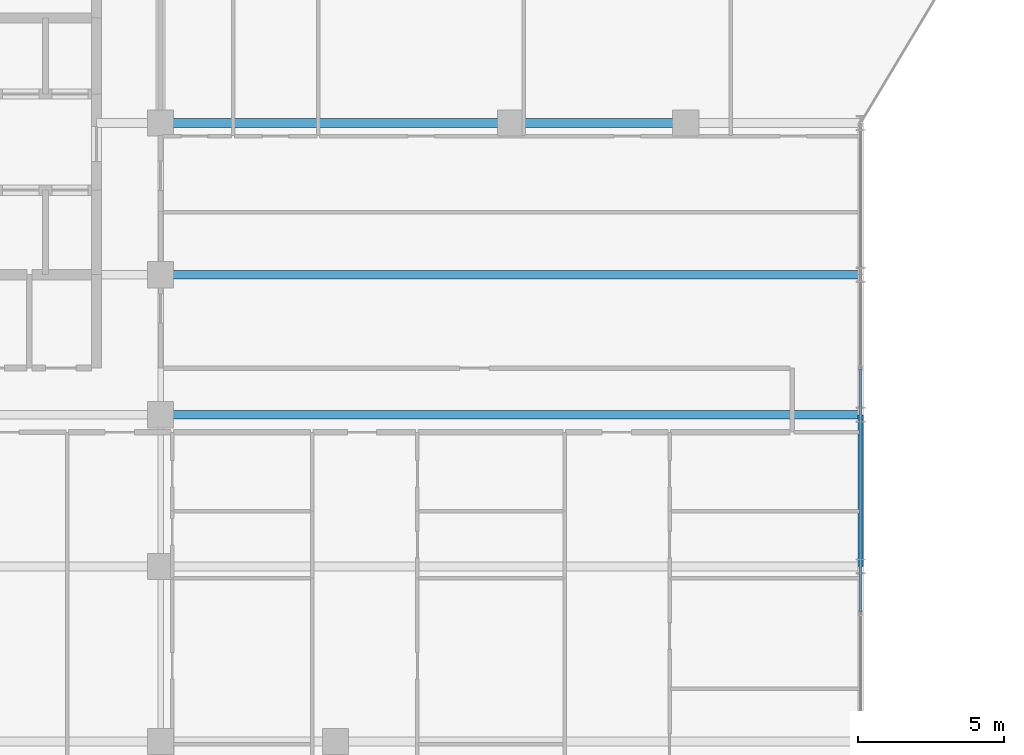
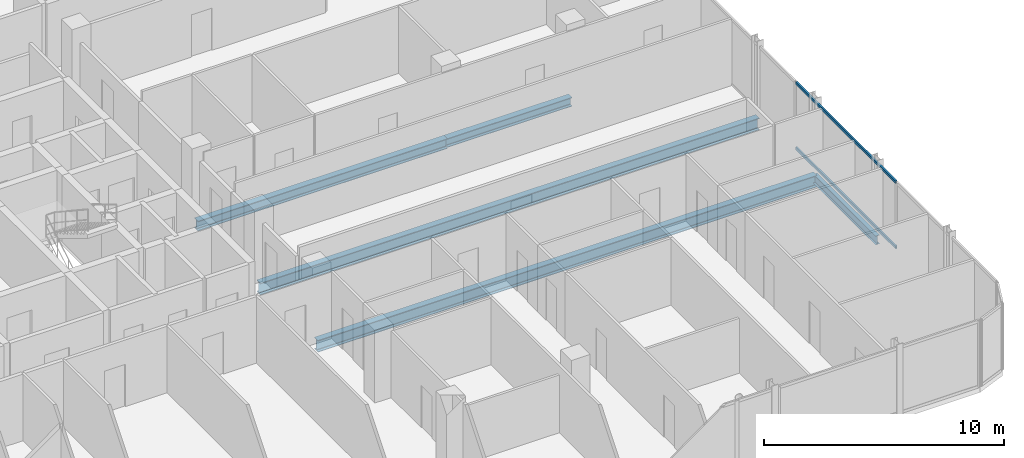
# One storey, part 12 of 31: 5 beams, 2 members, 1 element without a shape of its own.
"""IFC4 building model written with IfcOpenShell, lengths in metres."""

from ifc_helpers import new_model, si_unit, direction, frame, origin, origin_2d, place, context, subcontext, project, spatial, hollow_rectangle, i_section, extrude, material, layer, layer_set, material_profile, profile_set, type_object, element, aggregate, save


model = new_model("IFC4")

# Units and contexts
model_context = context("Model", 3, precision=1e-05, world=origin(), true_north=direction((0.0, 1.0)))
body_context = subcontext(model_context, "Body", "Model", "MODEL_VIEW")
ifc_project = project(units=[si_unit("LENGTHUNIT", "METRE"), si_unit("AREAUNIT", "SQUARE_METRE"), si_unit("VOLUMEUNIT", "CUBIC_METRE"), si_unit("PLANEANGLEUNIT", "RADIAN"), si_unit("MASSUNIT", "GRAM", prefix="KILO")], contexts=[model_context])

# Site, building, storey
site_placement = place(None, origin())
site = spatial("IfcSite", under=ifc_project, at=site_placement, CompositionType="ELEMENT")
building_placement = place(site_placement, origin())
building = spatial("IfcBuilding", under=site, at=building_placement, Name="Keshet Zoharim Tower", CompositionType="ELEMENT")
storey_placement = place(building_placement, frame((0.0, 0.0, 144.60009765625)))
storey = spatial("IfcBuildingStorey", under=building, at=storey_placement, Name="L35", CompositionType="ELEMENT", Elevation=144.60009765625)

# Beams
ifc_material_1 = material(Name="Steel S355", Category="steel")
ifc_material_profile_1 = material_profile(ifc_material_1, i_section(OverallWidth=0.300048828125, OverallDepth=0.60009765625, WebThickness=0.015380859375, FlangeThickness=0.030029296875, FilletRadius=0.027099609375, at=origin_2d()), Name="HEB600")
ifc_profile_set_1 = profile_set([ifc_material_profile_1], Name="Steel S355")
beam_type_1 = type_object("IfcBeamType", Name="BM-LNG-HB600", PredefinedType="BEAM", material=ifc_profile_set_1)
for number, where, z_axis, x_axis, name in (
    (1, (33.0, 17.89990234375, -0.614990234375), (1.0, 0.0, 0.0), (0.0, 1.0, 0.0), "L35 Primary Girder X-013"),
    (2, (33.0, 22.699951171875, -0.614990234375), (1.0, 0.0, 0.0), (0.0, 1.0, 0.0), "L35 Primary Girder X-014"),
):
    element("IfcBeam", number, at=place(storey_placement, frame(where, z_axis=z_axis, x_axis=x_axis)), inside=storey, type_object=beam_type_1, Name=name, PredefinedType="BEAM", context=body_context, shape_type="SweptSolid", body=[
        extrude(i_section(OverallWidth=0.300048828125, OverallDepth=0.60009765625, WebThickness=0.015380859375, FlangeThickness=0.030029296875, FilletRadius=0.027099609375, at=origin_2d()), origin(), (0.0, 0.0, 1.0), 24.0),
    ])
ifc_material_profile_2 = material_profile(ifc_material_1, i_section(OverallWidth=0.300048828125, OverallDepth=0.5, WebThickness=0.014404296875, FlangeThickness=0.028076171875, FilletRadius=0.027099609375, at=origin_2d()), Name="HEB500")
ifc_profile_set_2 = profile_set([ifc_material_profile_2], Name="Steel S355")
beam_type_2 = type_object("IfcBeamType", Name="BM-MED-HB500", PredefinedType="BEAM", material=ifc_profile_set_2)
beam_1_placement = place(storey_placement, frame((33.0, 27.89990234375, -0.565185546875), z_axis=(1.0, 0.0, 0.0), x_axis=(0.0, 1.0, 0.0)))
element("IfcBeam", 3, at=beam_1_placement, inside=storey, type_object=beam_type_2, Name="L35 Primary Girder X-015", PredefinedType="BEAM", context=body_context, shape_type="SweptSolid", body=[
    extrude(i_section(OverallWidth=0.300048828125, OverallDepth=0.5, WebThickness=0.014404296875, FlangeThickness=0.028076171875, FilletRadius=0.027099609375, at=origin_2d()), origin(), (0.0, 0.0, 1.0), 12.0),
])
ifc_material_profile_3 = material_profile(ifc_material_1, i_section(OverallWidth=0.18994140625, OverallDepth=0.449951171875, WebThickness=0.009521484375, FlangeThickness=0.0146484375, FilletRadius=0.02099609375, at=origin_2d()), Name="IPE450")
ifc_profile_set_3 = profile_set([ifc_material_profile_3], Name="Steel S355")
beam_type_3 = type_object("IfcBeamType", Name="BM-PRI-IP450", PredefinedType="BEAM", material=ifc_profile_set_3)
beam_2_placement = place(storey_placement, frame((57.0, 12.699951171875, -0.5400390625), z_axis=(0.0, 1.0, 0.0), x_axis=(-1.0, 0.0, 0.0)))
element("IfcBeam", 4, at=beam_2_placement, inside=storey, type_object=beam_type_3, Name="L35 Primary Girder Y-014", PredefinedType="BEAM", context=body_context, shape_type="SweptSolid", body=[
    extrude(i_section(OverallWidth=0.18994140625, OverallDepth=0.449951171875, WebThickness=0.009521484375, FlangeThickness=0.0146484375, FilletRadius=0.02099609375, at=origin_2d()), origin(), (0.0, 0.0, 1.0), 5.199951171875),
])
ifc_material_profile_4 = material_profile(ifc_material_1, i_section(OverallWidth=0.300048828125, OverallDepth=0.449951171875, WebThickness=0.013916015625, FlangeThickness=0.02587890625, FilletRadius=0.027099609375, at=origin_2d()), Name="HEB450")
ifc_profile_set_4 = profile_set([ifc_material_profile_4], Name="Steel S355")
beam_type_4 = type_object("IfcBeamType", Name="BM-WEB-HB450", PredefinedType="BEAM", material=ifc_profile_set_4)
beam_3_placement = place(storey_placement, frame((45.0, 27.89990234375, -0.5400390625), z_axis=(1.0, 0.0, 0.0), x_axis=(0.0, 1.0, 0.0)))
element("IfcBeam", 5, at=beam_3_placement, inside=storey, type_object=beam_type_4, Name="L35 Primary Girder X-016", PredefinedType="BEAM", context=body_context, shape_type="SweptSolid", body=[
    extrude(i_section(OverallWidth=0.300048828125, OverallDepth=0.449951171875, WebThickness=0.013916015625, FlangeThickness=0.02587890625, FilletRadius=0.027099609375, at=origin_2d()), origin(), (0.0, 0.0, 1.0), 6.0),
])

# Curtain wall, members
ifc_material_2 = material(Name="Aluminium 6063-T6", Category="aluminium")
ifc_layer = layer(ifc_material_2, 0.159912109375)
ifc_layer_set = layer_set([ifc_layer], Name="Aluminium 6063-T6")
curtain_wall_type = type_object("IfcCurtainWallType", Name="CW-SYS-03", PredefinedType="NOTDEFINED", material=ifc_layer_set)
curtain_wall_placement = place(storey_placement, origin())
curtain_wall = element("IfcCurtainWall", 6, at=curtain_wall_placement, inside=storey, type_object=curtain_wall_type, Name="L35 Unitised Curtain Wall 19", PredefinedType="NOTDEFINED")
ifc_material_profile_5 = material_profile(ifc_material_2, hollow_rectangle(XDim=0.080078125, YDim=0.139892578125, WallThickness=0.00390625, at=origin_2d()), Name="TRN-80x140")
ifc_profile_set_5 = profile_set([ifc_material_profile_5], Name="Aluminium 6063-T6")
member_type = type_object("IfcMemberType", Name="CWT-T14", PredefinedType="USERDEFINED", material=ifc_profile_set_5)
member_1_placement = place(storey_placement, frame((57.0, 19.465087890625, 0.034912109375), z_axis=(0.0, -1.0, 0.0), x_axis=(1.0, 0.0, 0.0)))
member_1 = element("IfcMember", 7, at=member_1_placement, type_object=member_type, Name="CW-03 transom 2.1", ObjectType="TRANSOM", PredefinedType="USERDEFINED", context=body_context, shape_type="SweptSolid", body=[
    extrude(hollow_rectangle(XDim=0.080078125, YDim=0.139892578125, WallThickness=0.00390625, at=origin_2d()), origin(), (0.0, 0.0, 1.0), 8.330078125),
])
member_2_placement = place(storey_placement, frame((57.0, 19.465087890625, 3.349853515625), z_axis=(0.0, -1.0, 0.0), x_axis=(1.0, 0.0, 0.0)))
member_2 = element("IfcMember", 8, at=member_2_placement, type_object=member_type, Name="CW-03 transom 2.2", ObjectType="TRANSOM", PredefinedType="USERDEFINED", context=body_context, shape_type="SweptSolid", body=[
    extrude(hollow_rectangle(XDim=0.080078125, YDim=0.139892578125, WallThickness=0.00390625, at=origin_2d()), origin(), (0.0, 0.0, 1.0), 8.330078125),
])
aggregate(curtain_wall, [member_1, member_2])

save(model, "model.ifc")
